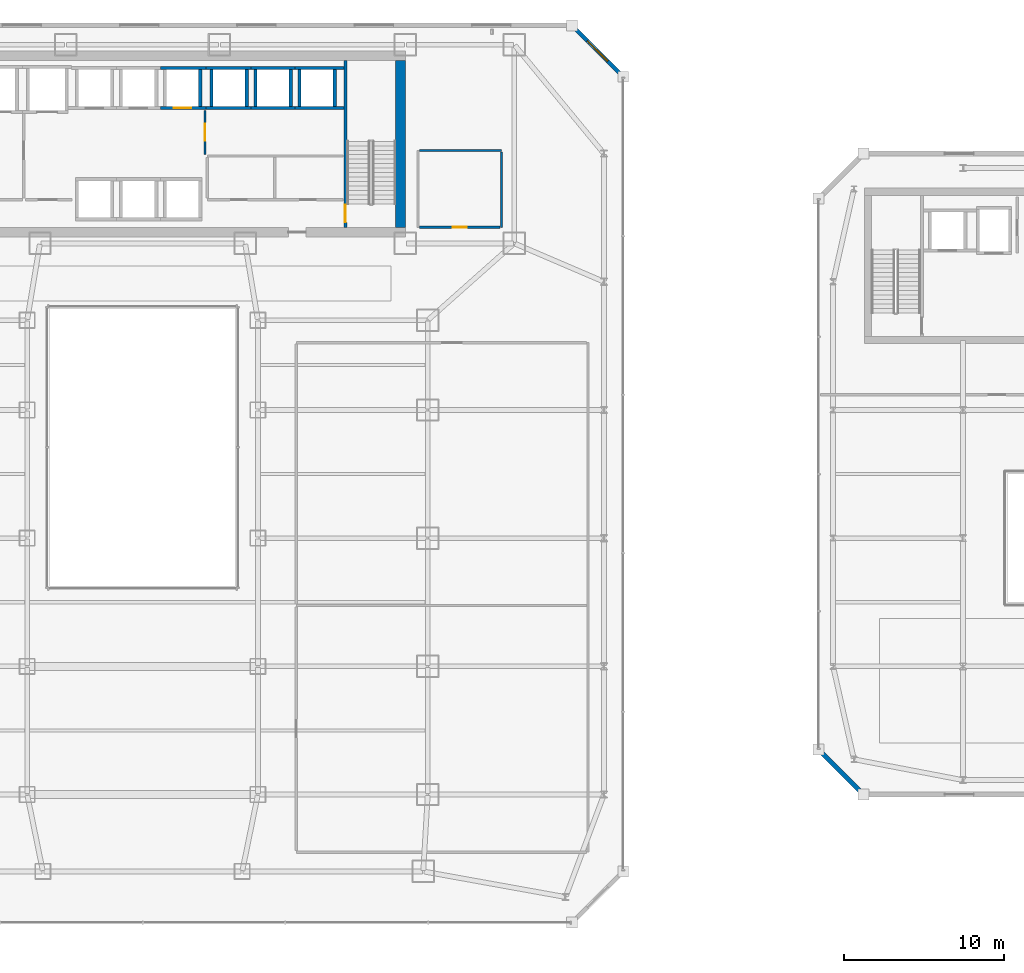
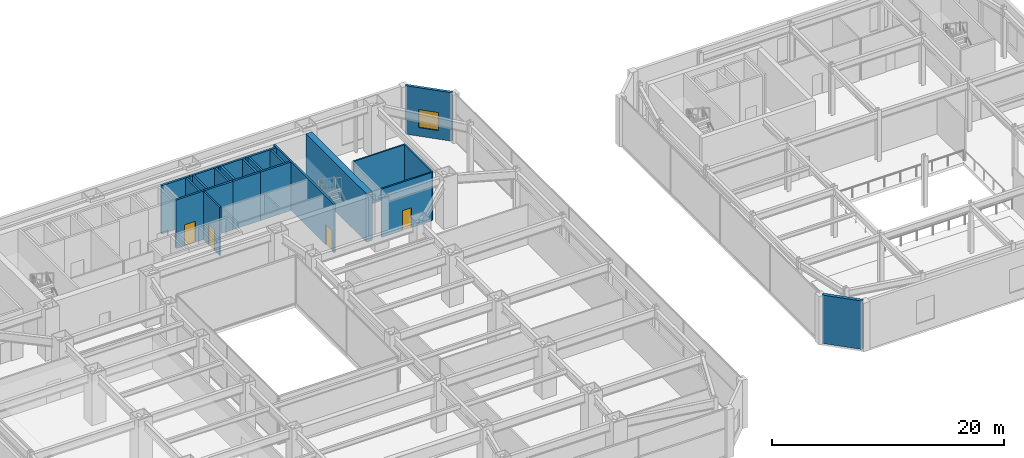
# One storey, part 41 of 52: 23 walls, 4 doors, 1 window, 5 openings.
"""IFC4 building model written with IfcOpenShell, lengths in metres."""

from ifc_helpers import new_model, si_unit, direction, frame, frame_2d, origin, place, context, subcontext, project, spatial, rectangle, extrude, material, layer, layer_set, type_object, element, fill, save


model = new_model("IFC4")

# Units and contexts
model_context = context("Model", 3, precision=1e-05, world=origin(), true_north=direction((0.0, 1.0)))
body_context = subcontext(model_context, "Body", "Model", "MODEL_VIEW")
ifc_project = project(units=[si_unit("LENGTHUNIT", "METRE"), si_unit("AREAUNIT", "SQUARE_METRE"), si_unit("VOLUMEUNIT", "CUBIC_METRE"), si_unit("PLANEANGLEUNIT", "RADIAN"), si_unit("MASSUNIT", "GRAM", prefix="KILO")], contexts=[model_context])

# Site, building, storey
site_placement = place(None, origin())
site = spatial("IfcSite", under=ifc_project, at=site_placement, CompositionType="ELEMENT")
building_placement = place(site_placement, origin())
building = spatial("IfcBuilding", under=site, at=building_placement, Name="Saevonmaru Cultural Tower", CompositionType="ELEMENT")
storey_placement = place(building_placement, frame((0.0, 0.0, 11.39990234375)))
storey = spatial("IfcBuildingStorey", under=building, at=storey_placement, Name="L02", CompositionType="ELEMENT", Elevation=11.39990234375)

# Wall
ifc_material_1 = material(Name="Concrete C60/75", Category="concrete")
ifc_layer_1 = layer(ifc_material_1, 0.60009765625, Name="Concrete C60/75")
ifc_layer_set_1 = layer_set([ifc_layer_1], Name="Concrete C60/75")
wall_type_1 = type_object("IfcWallType", Name="WL-CORE-600", PredefinedType="SHEAR", material=ifc_layer_set_1)
wall_1_placement = place(storey_placement, frame((46.10009765625, 43.39990234375, 0.0), z_axis=(0.0, 0.0, 1.0), x_axis=(0.0, 1.0, 0.0)))
element("IfcWall", 1, at=wall_1_placement, inside=storey, type_object=wall_type_1, Name="L02 Tower RC core shear wall E", PredefinedType="SHEAR", context=body_context, shape_type="SweptSolid", body=[
    extrude(rectangle(XDim=10.400146484375, YDim=0.60009765625, at=frame_2d((5.2001953125, 0.0))), origin(), (0.0, 0.0, 1.0), 5.10009765625),
])

# Wall, opening, door
ifc_material_2 = material(Name="Gypsum Fireboard Partition", Category="gypsum")
ifc_layer_2 = layer(ifc_material_2, 0.14990234375, Name="Gypsum Fireboard Partition")
ifc_layer_set_2 = layer_set([ifc_layer_2], Name="Gypsum Fireboard Partition")
wall_type_2 = type_object("IfcWallType", Name="WL-CORE-PART-150", PredefinedType="PARTITIONING", material=ifc_layer_set_2)
wall_2_placement = place(storey_placement, frame((33.89990234375, 47.949951171875, 0.0), z_axis=(0.0, 0.0, 1.0), x_axis=(0.0, 1.0, 0.0)))
wall_2 = element("IfcWall", 2, at=wall_2_placement, inside=storey, type_object=wall_type_2, Name="L02 Zone Lobby Divider", PredefinedType="PARTITIONING", context=body_context, shape_type="SweptSolid", body=[
    extrude(rectangle(XDim=2.75, YDim=0.14990234375, at=frame_2d((1.375, 0.0))), origin(), (0.0, 0.0, 1.0), 5.10009765625),
])
opening_1_placement = place(wall_2_placement, frame((0.85009765625, 0.0, 0.0)))
opening_1 = element("IfcOpeningElement", 3, at=opening_1_placement, cuts=wall_2, Name="Opening ID-1", PredefinedType="OPENING", context=body_context, shape_type="SweptSolid", body=[
    extrude(rectangle(XDim=1.050048828125, YDim=2.14990234375, at=frame_2d((0.52490234375, 1.074951171875))), frame((0.0, 0.0849609375, 0.0), z_axis=(0.0, -1.0, 0.0), x_axis=(1.0, 0.0, 0.0)), (0.0, 0.0, 1.0), 0.169921875),
])
ifc_material_3 = material(Name="Satin Bronze Anodised Aluminium", Category="aluminium")
door_type_1 = type_object("IfcDoorType", Name="DR-INT-1050", OperationType="SINGLE_SWING_LEFT", PredefinedType="DOOR", material=ifc_material_3)
door_1_placement = place(opening_1_placement, origin())
door_1 = element("IfcDoor", 4, at=door_1_placement, inside=storey, type_object=door_type_1, Name="L02 Inter-Lobby Link Door", OperationType="SINGLE_SWING_LEFT", OverallHeight=2.14990234375, OverallWidth=1.050048828125, PredefinedType="DOOR", context=body_context, shape_type="SweptSolid", body=[
    extrude(rectangle(XDim=1.050048828125, YDim=2.14990234375, at=frame_2d((0.52490234375, 1.074951171875))), frame((0.0, 0.02490234375, 0.0), z_axis=(0.0, -1.0, 0.0), x_axis=(1.0, 0.0, 0.0)), (0.0, 0.0, 1.0), 0.050048828125),
])
fill(opening_1, door_1)

# Wall
ifc_material_4 = material(Name="Warm Limestone Precast Concrete C40/50", Category="masonry")
ifc_layer_3 = layer(ifc_material_4, 0.300048828125, Name="Warm Limestone Precast Concrete C40/50")
ifc_layer_set_3 = layer_set([ifc_layer_3], Name="Warm Limestone Precast Concrete C40/50")
wall_type_3 = type_object("IfcWallType", Name="WL-EXT-LIB-300", PredefinedType="STANDARD", material=ifc_layer_set_3)
wall_3_placement = place(storey_placement, frame((72.31298828125, 10.68701171875, 0.0), z_axis=(0.0, 0.0, 1.0), x_axis=(0.707106781187, -0.707106781187, 0.0)))
element("IfcWall", 5, at=wall_3_placement, inside=storey, type_object=wall_type_3, Name="L02 Central Library Fluted Stone Wall E1", PredefinedType="STANDARD", context=body_context, shape_type="SweptSolid", body=[
    extrude(rectangle(XDim=3.64013671875, YDim=0.300048828125, at=frame_2d((1.820068359375, 0.0))), origin(), (0.0, 0.0, 1.0), 5.10009765625),
])

# Wall, opening, window
ifc_material_5 = material(Name="Granite-Clad Precast Concrete C40/50", Category="masonry")
ifc_layer_4 = layer(ifc_material_5, 0.260009765625, Name="Granite-Clad Precast Concrete C40/50")
ifc_layer_set_4 = layer_set([ifc_layer_4], Name="Granite-Clad Precast Concrete C40/50")
wall_type_4 = type_object("IfcWallType", Name="WL-EXT-SPANDREL-260", PredefinedType="STANDARD", material=ifc_layer_set_4)
wall_4_placement = place(storey_placement, frame((59.886962890625, 52.9130859375, 0.0), z_axis=(0.0, 0.0, 1.0), x_axis=(-0.707106781187, 0.707106781187, 0.0)))
wall_4 = element("IfcWall", 6, at=wall_4_placement, inside=storey, type_object=wall_type_4, Name="L02 Podium Bronze-Granite Exterior Wall E5", PredefinedType="STANDARD", context=body_context, shape_type="SweptSolid", body=[
    extrude(rectangle(XDim=4.205810546875, YDim=0.260009765625, at=frame_2d((2.10302734375, 0.0))), origin(), (0.0, 0.0, 1.0), 5.10009765625),
])
opening_2_placement = place(wall_4_placement, frame((1.202880859375, 0.0, 0.89990234375)))
opening_2 = element("IfcOpeningElement", 7, at=opening_2_placement, cuts=wall_4, Name="Opening W-2", PredefinedType="OPENING", context=body_context, shape_type="SweptSolid", body=[
    extrude(rectangle(XDim=1.800048828125, YDim=1.89990234375, at=frame_2d((0.89990234375, 0.949951171875))), frame((0.0, 0.14013671875, 0.0), z_axis=(0.0, -1.0, 0.0), x_axis=(1.0, 0.0, 0.0)), (0.0, 0.0, 1.0), 0.280029296875),
])
window_type = type_object("IfcWindowType", Name="WN-DECO-1800x1900", PartitioningType="SINGLE_PANEL", PredefinedType="WINDOW", material=ifc_material_3)
window_placement = place(opening_2_placement, origin())
window = element("IfcWindow", 8, at=window_placement, inside=storey, type_object=window_type, Name="L02 Chamfer Bay Window E5", OverallHeight=1.89990234375, OverallWidth=1.800048828125, PartitioningType="SINGLE_PANEL", PredefinedType="WINDOW", context=body_context, shape_type="SweptSolid", body=[
    extrude(rectangle(XDim=1.800048828125, YDim=1.89990234375, at=frame_2d((0.89990234375, 0.949951171875))), frame((0.0, 0.030029296875, 0.0), z_axis=(0.0, -1.0, 0.0), x_axis=(1.0, 0.0, 0.0)), (0.0, 0.0, 1.0), 0.06005859375),
])
fill(opening_2, window)

# Walls
ifc_layer_5 = layer(ifc_material_2, 0.139892578125, Name="Gypsum Fireboard Partition")
ifc_layer_set_5 = layer_set([ifc_layer_5], Name="Gypsum Fireboard Partition")
wall_type_5 = type_object("IfcWallType", Name="WL-PART-WET-140", PredefinedType="PARTITIONING", material=ifc_layer_set_5)
wall_5_placement = place(storey_placement, frame((47.2900390625, 48.199951171875, 0.0), z_axis=(0.0, 0.0, 1.0), x_axis=(1.0, 0.0, 0.0)))
element("IfcWall", 9, at=wall_5_placement, inside=storey, type_object=wall_type_5, Name="L02 Podium Washroom North Wall", PredefinedType="PARTITIONING", context=body_context, shape_type="SweptSolid", body=[
    extrude(rectangle(XDim=5.10986328125, YDim=0.139892578125, at=frame_2d((2.554931640625, 0.0))), origin(), (0.0, 0.0, 1.0), 5.10009765625),
])
wall_6_placement = place(storey_placement, frame((52.39990234375, 43.39990234375, 0.0), z_axis=(0.0, 0.0, 1.0), x_axis=(0.0, 1.0, 0.0)))
element("IfcWall", 10, at=wall_6_placement, inside=storey, type_object=wall_type_5, Name="L02 Podium Washroom East Wall", PredefinedType="PARTITIONING", context=body_context, shape_type="SweptSolid", body=[
    extrude(rectangle(XDim=4.710205078125, YDim=0.139892578125, at=frame_2d((2.35498046875, 0.0))), origin(), (0.0, 0.0, 1.0), 5.10009765625),
])

# Wall, opening, door
wall_7_placement = place(storey_placement, frame((47.2900390625, 43.39990234375, 0.0), z_axis=(0.0, 0.0, 1.0), x_axis=(1.0, 0.0, 0.0)))
wall_7 = element("IfcWall", 11, at=wall_7_placement, inside=storey, type_object=wall_type_5, Name="L02 Podium Washroom South Wall", PredefinedType="PARTITIONING", context=body_context, shape_type="SweptSolid", body=[
    extrude(rectangle(XDim=5.02001953125, YDim=0.139892578125, at=frame_2d((2.510009765625, 0.0))), origin(), (0.0, 0.0, 1.0), 5.10009765625),
])
opening_3_placement = place(wall_7_placement, frame((2.06005859375, 0.0, 0.0)))
opening_3 = element("IfcOpeningElement", 12, at=opening_3_placement, cuts=wall_7, Name="Opening ID-2", PredefinedType="OPENING", context=body_context, shape_type="SweptSolid", body=[
    extrude(rectangle(XDim=0.89990234375, YDim=2.10009765625, at=frame_2d((0.449951171875, 1.050048828125))), frame((0.0, 0.080078125, 0.0), z_axis=(0.0, -1.0, 0.0), x_axis=(1.0, 0.0, 0.0)), (0.0, 0.0, 1.0), 0.159912109375),
])
ifc_material_6 = material(Name="Acoustic Stained Oak Timber", Category="wood")
door_type_2 = type_object("IfcDoorType", Name="DR-INT-900", OperationType="SINGLE_SWING_RIGHT", PredefinedType="DOOR", material=ifc_material_6)
door_2_placement = place(opening_3_placement, origin())
door_2 = element("IfcDoor", 13, at=door_2_placement, inside=storey, type_object=door_type_2, Name="L02 Accessible Washroom Door", OperationType="SINGLE_SWING_RIGHT", OverallHeight=2.10009765625, OverallWidth=0.89990234375, PredefinedType="DOOR", context=body_context, shape_type="SweptSolid", body=[
    extrude(rectangle(XDim=0.89990234375, YDim=2.10009765625, at=frame_2d((0.449951171875, 1.050048828125))), frame((0.0, 0.02490234375, 0.0), z_axis=(0.0, -1.0, 0.0), x_axis=(1.0, 0.0, 0.0)), (0.0, 0.0, 1.0), 0.050048828125),
])
fill(opening_3, door_2)

ifc_material_7 = material(Name="Concrete C40/50", Category="concrete")
ifc_layer_6 = layer(ifc_material_7, 0.199951171875, Name="Concrete C40/50")
ifc_layer_set_6 = layer_set([ifc_layer_6], Name="Concrete C40/50")
wall_type_6 = type_object("IfcWallType", Name="WL-SHAFT-200", PredefinedType="SHEAR", material=ifc_layer_set_6)
wall_8_placement = place(storey_placement, frame((31.125, 50.85009765625, 0.0), z_axis=(0.0, 0.0, 1.0), x_axis=(1.0, 0.0, 0.0)))
wall_8 = element("IfcWall", 14, at=wall_8_placement, inside=storey, type_object=wall_type_6, Name="L02 Lift PL-L3 Hoistway Wall S", PredefinedType="SHEAR", context=body_context, shape_type="SweptSolid", body=[
    extrude(rectangle(XDim=2.824951171875, YDim=0.199951171875, at=frame_2d((1.41259765625, 0.0))), origin(), (0.0, 0.0, 1.0), 5.10009765625),
])
opening_4_placement = place(wall_8_placement, frame((0.824951171875, 0.0, 0.0)))
opening_4 = element("IfcOpeningElement", 15, at=opening_4_placement, cuts=wall_8, Name="Opening LD-1", PredefinedType="OPENING", context=body_context, shape_type="SweptSolid", body=[
    extrude(rectangle(XDim=1.10009765625, YDim=2.199951171875, at=frame_2d((0.550048828125, 1.10009765625))), frame((0.0, 0.10986328125, 0.0), z_axis=(0.0, -1.0, 0.0), x_axis=(1.0, 0.0, 0.0)), (0.0, 0.0, 1.0), 0.219970703125),
])
ifc_material_8 = material(Name="Satin Bronze Stainless Steel", Category="steel")
door_type_3 = type_object("IfcDoorType", Name="DR-LIFT-1100", OperationType="SLIDING_TO_LEFT", PredefinedType="DOOR", material=ifc_material_8)
door_3_placement = place(opening_4_placement, origin())
door_3 = element("IfcDoor", 16, at=door_3_placement, inside=storey, type_object=door_type_3, Name="L02 Lift PL-L3 Sliding Landing Door", OperationType="SLIDING_TO_LEFT", OverallHeight=2.199951171875, OverallWidth=1.10009765625, PredefinedType="DOOR", context=body_context, shape_type="SweptSolid", body=[
    extrude(rectangle(XDim=1.10009765625, YDim=2.199951171875, at=frame_2d((0.550048828125, 1.10009765625))), frame((0.0, 0.02490234375, 0.0), z_axis=(0.0, -1.0, 0.0), x_axis=(1.0, 0.0, 0.0)), (0.0, 0.0, 1.0), 0.050048828125),
])
fill(opening_4, door_3)

# Walls
wall_9_placement = place(storey_placement, frame((31.125, 53.35009765625, 0.0), z_axis=(0.0, 0.0, 1.0), x_axis=(1.0, 0.0, 0.0)))
element("IfcWall", 17, at=wall_9_placement, inside=storey, type_object=wall_type_6, Name="L02 Lift PL-L3 Hoistway Wall N", PredefinedType="SHEAR", context=body_context, shape_type="SweptSolid", body=[
    extrude(rectangle(XDim=2.824951171875, YDim=0.199951171875, at=frame_2d((1.41259765625, 0.0))), origin(), (0.0, 0.0, 1.0), 5.10009765625),
])
wall_10_placement = place(storey_placement, frame((33.60009765625, 50.949951171875, 0.0), z_axis=(0.0, 0.0, 1.0), x_axis=(0.0, 1.0, 0.0)))
element("IfcWall", 18, at=wall_10_placement, inside=storey, type_object=wall_type_6, Name="L02 Lift PL-L3 Hoistway Wall E", PredefinedType="SHEAR", context=body_context, shape_type="SweptSolid", body=[
    extrude(rectangle(XDim=2.300048828125, YDim=0.199951171875, at=frame_2d((1.14990234375, 0.0))), origin(), (0.0, 0.0, 1.0), 5.10009765625),
])
for number, where, z_axis, x_axis, name in (
    (19, (33.949951171875, 50.85009765625, 0.0), (0.0, 0.0, 1.0), (1.0, 0.0, 0.0), "L02 Lift PL-H1 Hoistway Wall S"),
    (20, (33.949951171875, 53.35009765625, 0.0), (0.0, 0.0, 1.0), (1.0, 0.0, 0.0), "L02 Lift PL-H1 Hoistway Wall N"),
):
    element("IfcWall", number, at=place(storey_placement, frame(where, z_axis=z_axis, x_axis=x_axis)), inside=storey, type_object=wall_type_6, Name=name, PredefinedType="SHEAR", context=body_context, shape_type="SweptSolid", body=[
        extrude(rectangle(XDim=2.824951171875, YDim=0.199951171875, at=frame_2d((1.41259765625, 0.0))), origin(), (0.0, 0.0, 1.0), 5.10009765625),
    ])
for number, where, z_axis, x_axis, name in (
    (21, (34.300048828125, 50.949951171875, 0.0), (0.0, 0.0, 1.0), (0.0, 1.0, 0.0), "L02 Lift PL-H1 Hoistway Wall W"),
    (22, (36.5, 50.949951171875, 0.0), (0.0, 0.0, 1.0), (0.0, 1.0, 0.0), "L02 Lift PL-H1 Hoistway Wall E"),
):
    element("IfcWall", number, at=place(storey_placement, frame(where, z_axis=z_axis, x_axis=x_axis)), inside=storey, type_object=wall_type_6, Name=name, PredefinedType="SHEAR", context=body_context, shape_type="SweptSolid", body=[
        extrude(rectangle(XDim=2.300048828125, YDim=0.199951171875, at=frame_2d((1.14990234375, 0.0))), origin(), (0.0, 0.0, 1.0), 5.10009765625),
    ])
for number, where, z_axis, x_axis, name in (
    (23, (36.77490234375, 50.85009765625, 0.0), (0.0, 0.0, 1.0), (1.0, 0.0, 0.0), "L02 Lift PL-H2 Hoistway Wall S"),
    (24, (36.77490234375, 53.35009765625, 0.0), (0.0, 0.0, 1.0), (1.0, 0.0, 0.0), "L02 Lift PL-H2 Hoistway Wall N"),
):
    element("IfcWall", number, at=place(storey_placement, frame(where, z_axis=z_axis, x_axis=x_axis)), inside=storey, type_object=wall_type_6, Name=name, PredefinedType="SHEAR", context=body_context, shape_type="SweptSolid", body=[
        extrude(rectangle(XDim=2.75, YDim=0.199951171875, at=frame_2d((1.375, 0.0))), origin(), (0.0, 0.0, 1.0), 5.10009765625),
    ])
for number, where, z_axis, x_axis, name in (
    (25, (37.050048828125, 50.949951171875, 0.0), (0.0, 0.0, 1.0), (0.0, 1.0, 0.0), "L02 Lift PL-H2 Hoistway Wall W"),
    (26, (39.25, 50.949951171875, 0.0), (0.0, 0.0, 1.0), (0.0, 1.0, 0.0), "L02 Lift PL-H2 Hoistway Wall E"),
):
    element("IfcWall", number, at=place(storey_placement, frame(where, z_axis=z_axis, x_axis=x_axis)), inside=storey, type_object=wall_type_6, Name=name, PredefinedType="SHEAR", context=body_context, shape_type="SweptSolid", body=[
        extrude(rectangle(XDim=2.300048828125, YDim=0.199951171875, at=frame_2d((1.14990234375, 0.0))), origin(), (0.0, 0.0, 1.0), 5.10009765625),
    ])
for number, where, z_axis, x_axis, name in (
    (27, (39.52490234375, 50.85009765625, 0.0), (0.0, 0.0, 1.0), (1.0, 0.0, 0.0), "L02 Lift PL-H3 Hoistway Wall S"),
    (28, (39.52490234375, 53.35009765625, 0.0), (0.0, 0.0, 1.0), (1.0, 0.0, 0.0), "L02 Lift PL-H3 Hoistway Wall N"),
):
    element("IfcWall", number, at=place(storey_placement, frame(where, z_axis=z_axis, x_axis=x_axis)), inside=storey, type_object=wall_type_6, Name=name, PredefinedType="SHEAR", context=body_context, shape_type="SweptSolid", body=[
        extrude(rectangle(XDim=3.045166015625, YDim=0.199951171875, at=frame_2d((1.5224609375, 0.0))), origin(), (0.0, 0.0, 1.0), 5.10009765625),
    ])
for number, where, z_axis, x_axis, name in (
    (29, (39.800048828125, 50.949951171875, 0.0), (0.0, 0.0, 1.0), (0.0, 1.0, 0.0), "L02 Lift PL-H3 Hoistway Wall W"),
    (30, (42.0, 50.949951171875, 0.0), (0.0, 0.0, 1.0), (0.0, 1.0, 0.0), "L02 Lift PL-H3 Hoistway Wall E"),
):
    element("IfcWall", number, at=place(storey_placement, frame(where, z_axis=z_axis, x_axis=x_axis)), inside=storey, type_object=wall_type_6, Name=name, PredefinedType="SHEAR", context=body_context, shape_type="SweptSolid", body=[
        extrude(rectangle(XDim=2.300048828125, YDim=0.199951171875, at=frame_2d((1.14990234375, 0.0))), origin(), (0.0, 0.0, 1.0), 5.10009765625),
    ])

# Wall, opening, door
ifc_layer_7 = layer(ifc_material_7, 0.179931640625, Name="Concrete C40/50")
ifc_layer_set_7 = layer_set([ifc_layer_7], Name="Concrete C40/50")
wall_type_7 = type_object("IfcWallType", Name="WL-STSHAFT-180", PredefinedType="SHEAR", material=ifc_layer_set_7)
wall_11_placement = place(storey_placement, frame((42.659912109375, 53.800048828125, 0.0), z_axis=(0.0, 0.0, 1.0), x_axis=(0.0, -1.0, 0.0)))
wall_11 = element("IfcWall", 31, at=wall_11_placement, inside=storey, type_object=wall_type_7, Name="L02 Stair ST-2 Structural Shaft Wall 1", PredefinedType="SHEAR", context=body_context, shape_type="SweptSolid", body=[
    extrude(rectangle(XDim=10.400146484375, YDim=0.179931640625, at=frame_2d((5.2001953125, 0.0))), origin(), (0.0, 0.0, 1.0), 5.10009765625),
])
opening_5_placement = place(wall_11_placement, frame((8.989990234375, 0.0, 0.0)))
opening_5 = element("IfcOpeningElement", 32, at=opening_5_placement, cuts=wall_11, Name="Opening FD-2", PredefinedType="OPENING", context=body_context, shape_type="SweptSolid", body=[
    extrude(rectangle(XDim=1.10009765625, YDim=2.14990234375, at=frame_2d((0.550048828125, 1.074951171875))), frame((0.0, 0.10009765625, 0.0), z_axis=(0.0, -1.0, 0.0), x_axis=(1.0, 0.0, 0.0)), (0.0, 0.0, 1.0), 0.199951171875),
])
door_type_4 = type_object("IfcDoorType", Name="DR-FD60-1100", OperationType="SINGLE_SWING_LEFT", PredefinedType="DOOR", material=ifc_material_3)
door_4_placement = place(opening_5_placement, origin())
door_4 = element("IfcDoor", 33, at=door_4_placement, inside=storey, type_object=door_type_4, Name="L02 Protected Stair ST-2 Fire Door", OperationType="SINGLE_SWING_LEFT", OverallHeight=2.14990234375, OverallWidth=1.10009765625, PredefinedType="DOOR", context=body_context, shape_type="SweptSolid", body=[
    extrude(rectangle(XDim=1.10009765625, YDim=2.14990234375, at=frame_2d((0.550048828125, 1.074951171875))), frame((0.0, 0.02490234375, 0.0), z_axis=(0.0, -1.0, 0.0), x_axis=(1.0, 0.0, 0.0)), (0.0, 0.0, 1.0), 0.050048828125),
])
fill(opening_5, door_4)

save(model, "model.ifc")
